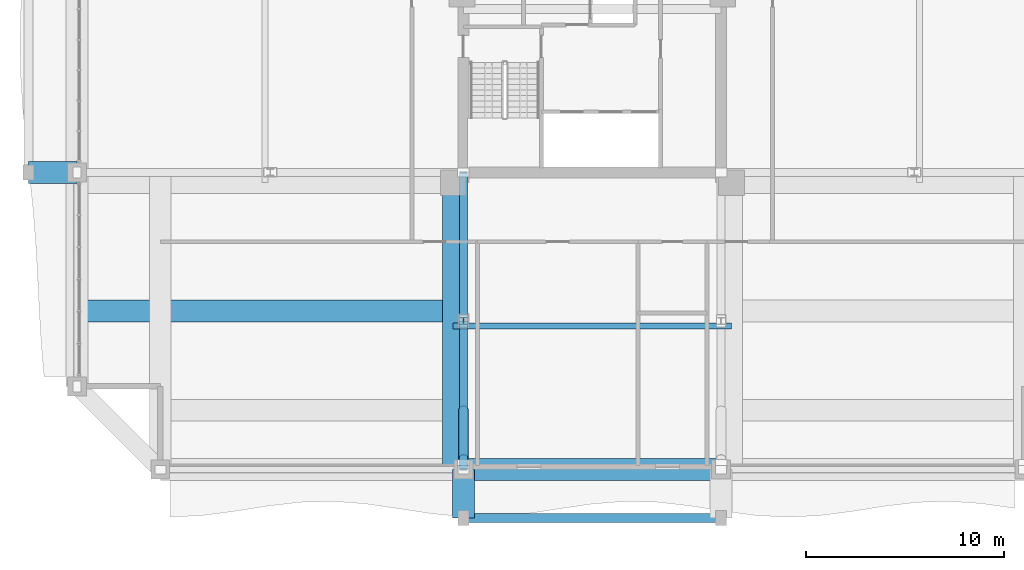
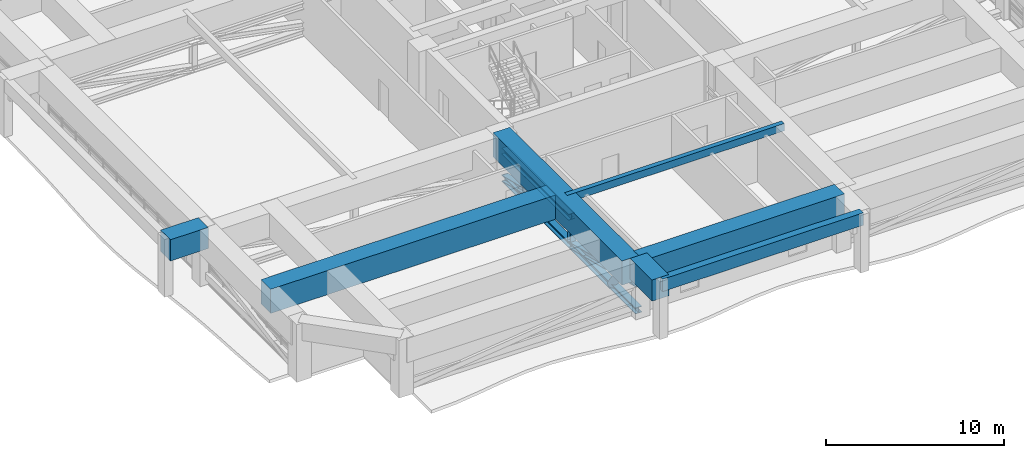
# One storey, part 5 of 35: 8 members, 7 beams.
"""IFC4 building model written with IfcOpenShell, lengths in metres."""

from ifc_helpers import new_model, si_unit, direction, frame, origin, origin_2d, place, context, subcontext, project, spatial, rectangle, hollow_circle, i_section, extrude, source, transform, mapped, material, material_profile, profile_set, type_object, element, save


model = new_model("IFC4")

# Units and contexts
model_context = context("Model", 3, precision=1e-05, world=origin(), true_north=direction((0.0, 1.0)))
body_context = subcontext(model_context, "Body", "Model", "MODEL_VIEW")
ifc_project = project(units=[si_unit("LENGTHUNIT", "METRE"), si_unit("AREAUNIT", "SQUARE_METRE"), si_unit("VOLUMEUNIT", "CUBIC_METRE"), si_unit("PLANEANGLEUNIT", "RADIAN"), si_unit("MASSUNIT", "GRAM", prefix="KILO")], contexts=[model_context])

# Site, building, storey
site_placement = place(None, origin())
site = spatial("IfcSite", under=ifc_project, at=site_placement, CompositionType="ELEMENT")
building_placement = place(site_placement, origin())
building = spatial("IfcBuilding", under=site, at=building_placement, Name="Saelheon Loggia Tower", CompositionType="ELEMENT")
storey_placement = place(building_placement, frame((0.0, 0.0, 144.75)))
storey = spatial("IfcBuildingStorey", under=building, at=storey_placement, Name="L46", CompositionType="ELEMENT", Elevation=144.75)

# Beam
ifc_material_1 = material(Name="Precast Concrete C45/55", Category="concrete")
ifc_material_profile_1 = material_profile(ifc_material_1, rectangle(XDim=0.449951171875, YDim=0.85009765625, at=origin_2d()), Name="RC-450x850")
ifc_profile_set_1 = profile_set([ifc_material_profile_1], Name="Precast Concrete C45/55")
beam_type_1 = type_object("IfcBeamType", Name="Beam_LoggiaSpandrel_RC450x850", PredefinedType="SPANDREL", material=ifc_profile_set_1)
shared_shape_1 = source(origin(), body_context, "Body", "SweptSolid", [
    extrude(rectangle(XDim=0.449951171875, YDim=0.85009765625, at=origin_2d()), origin(), (0.0, 0.0, 1.0), 13.0),
])
beam_1_placement = place(storey_placement, frame((31.5, 0.550048828125, 3.52490234375), z_axis=(1.0, 0.0, 0.0), x_axis=(0.0, 1.0, 0.0)))
element("IfcBeam", 1, at=beam_1_placement, inside=storey, type_object=beam_type_1, Name="L46 Loggia Spandrel Beam S", PredefinedType="SPANDREL", context=body_context, shape_type="MappedRepresentation", body=[
    mapped(shared_shape_1, transform((0.0, 0.0, 0.0), scale=1.0)),
])

# Member
ifc_material_2 = material(Name="Steel SM355", Category="steel")
ifc_material_profile_2 = material_profile(ifc_material_2, hollow_circle(Radius=0.25390625, WallThickness=0.02001953125, at=origin_2d()), Name="CHS-508x20")
ifc_profile_set_2 = profile_set([ifc_material_profile_2], Name="Steel SM355")
member_type_1 = type_object("IfcMemberType", Name="SkyPool_Strut_CHS508", PredefinedType="STRUT", material=ifc_profile_set_2)
shared_shape_2 = source(origin(), body_context, "Body", "SweptSolid", [
    extrude(hollow_circle(Radius=0.25390625, WallThickness=0.02001953125, at=origin_2d()), origin(), (0.0, 0.0, 1.0), 4.198974609375),
])
member_1_placement = place(storey_placement, frame((31.5, 6.0, 0.199951171875), z_axis=(0.0, -0.583463515817, 0.812139351165), x_axis=(1.0, 0.0, 0.0)))
element("IfcMember", 2, at=member_1_placement, inside=storey, type_object=member_type_1, Name="Sky Pool Cantilever Raker Strut 1", PredefinedType="STRUT", context=body_context, shape_type="MappedRepresentation", body=[
    mapped(shared_shape_2, transform((0.0, 0.0, 0.0), scale=1.0)),
])

# Beams
ifc_material_3 = material(Name="Concrete C50/60", Category="concrete")
ifc_material_profile_3 = material_profile(ifc_material_3, rectangle(XDim=1.10009765625, YDim=1.449951171875, at=origin_2d()), Name="RC-1100x1450")
ifc_profile_set_3 = profile_set([ifc_material_profile_3], Name="Concrete C50/60")
beam_type_2 = type_object("IfcBeamType", Name="Beam_PerimTransfer_RC1100x1450", PredefinedType="BEAM", material=ifc_profile_set_3)
shared_shape_3 = source(origin(), body_context, "Body", "SweptSolid", [
    extrude(rectangle(XDim=1.10009765625, YDim=1.449951171875, at=origin_2d()), origin(), (0.0, 0.0, 1.0), 2.449951171875),
])
for number, where, z_axis, x_axis, name in (
    (3, (31.5, 3.0, 3.22509765625), (0.0, -1.0, 0.0), (1.0, 0.0, 0.0), "L46 Loggia Frame Tie Beam LP-S1"),
    (4, (12.0, 18.0, 3.22509765625), (-1.0, 0.0, 0.0), (0.0, -1.0, 0.0), "L46 Loggia Frame Tie Beam LP-W1"),
):
    element("IfcBeam", number, at=place(storey_placement, frame(where, z_axis=z_axis, x_axis=x_axis)), inside=storey, type_object=beam_type_2, Name=name, PredefinedType="BEAM", context=body_context, shape_type="MappedRepresentation", body=[
        mapped(shared_shape_3, transform((0.0, 0.0, 0.0), scale=1.0)),
    ])
ifc_material_profile_4 = material_profile(ifc_material_3, rectangle(XDim=1.10009765625, YDim=1.64990234375, at=origin_2d()), Name="RC-1100x1650")
ifc_profile_set_4 = profile_set([ifc_material_profile_4], Name="Concrete C50/60")
beam_type_3 = type_object("IfcBeamType", Name="Beam_PerimMega_RC1100x1650", PredefinedType="BEAM", material=ifc_profile_set_4)
shared_shape_4 = source(origin(), body_context, "Body", "SweptSolid", [
    extrude(rectangle(XDim=1.10009765625, YDim=1.64990234375, at=origin_2d()), origin(), (0.0, 0.0, 1.0), 13.0),
])
beam_2_placement = place(storey_placement, frame((31.5, 3.0, 3.125), z_axis=(1.0, 0.0, 0.0), x_axis=(0.0, 1.0, 0.0)))
element("IfcBeam", 5, at=beam_2_placement, inside=storey, type_object=beam_type_3, Name="L46 Perimeter Frame Girder 02", PredefinedType="BEAM", context=body_context, shape_type="MappedRepresentation", body=[
    mapped(shared_shape_4, transform((0.0, 0.0, 0.0), scale=1.0)),
])
ifc_material_profile_5 = material_profile(ifc_material_3, rectangle(XDim=1.10009765625, YDim=1.64990234375, at=origin_2d()), Name="RC-1100x1650")
ifc_profile_set_5 = profile_set([ifc_material_profile_5], Name="Concrete C50/60")
beam_type_4 = type_object("IfcBeamType", Name="Beam_MegaTransfer_RC1100x1650", PredefinedType="BEAM", material=ifc_profile_set_5)
shared_shape_5 = source(origin(), body_context, "Body", "SweptSolid", [
    extrude(rectangle(XDim=1.10009765625, YDim=1.64990234375, at=origin_2d()), origin(), (0.0, 0.0, 1.0), 14.47998046875),
])
beam_3_placement = place(storey_placement, frame((30.97998046875, 17.47998046875, 3.125), z_axis=(0.0, -1.0, 0.0), x_axis=(1.0, 0.0, 0.0)))
element("IfcBeam", 6, at=beam_3_placement, inside=storey, type_object=beam_type_4, Name="L46 Radial Floor Girder RAD-SW-S", PredefinedType="BEAM", context=body_context, shape_type="MappedRepresentation", body=[
    mapped(shared_shape_5, transform((0.0, 0.0, 0.0), scale=1.0)),
])
shared_shape_6 = source(origin(), body_context, "Body", "SweptSolid", [
    extrude(rectangle(XDim=1.10009765625, YDim=1.64990234375, at=origin_2d()), origin(), (0.0, 0.0, 1.0), 19.5),
])
beam_4_placement = place(storey_placement, frame((12.0, 11.0, 3.125), z_axis=(1.0, 0.0, 0.0), x_axis=(0.0, 1.0, 0.0)))
element("IfcBeam", 7, at=beam_4_placement, inside=storey, type_object=beam_type_4, Name="TG-L46-SH-SW", PredefinedType="BEAM", context=body_context, shape_type="MappedRepresentation", body=[
    mapped(shared_shape_6, transform((0.0, 0.0, 0.0), scale=1.0)),
])

# Members
ifc_material_profile_6 = material_profile(ifc_material_2, i_section(OverallWidth=0.406982421875, OverallDepth=0.427978515625, WebThickness=0.02001953125, FlangeThickness=0.034912109375, at=origin_2d()), Name="H-428x407x20x35")
ifc_profile_set_6 = profile_set([ifc_material_profile_6], Name="Steel SM355")
member_type_2 = type_object("IfcMemberType", Name="Outrigger_Chord_H428", PredefinedType="CHORD", material=ifc_profile_set_6)
shared_shape_7 = source(origin(), body_context, "Body", "SweptSolid", [
    extrude(i_section(OverallWidth=0.406982421875, OverallDepth=0.427978515625, WebThickness=0.02001953125, FlangeThickness=0.034912109375, at=origin_2d()), origin(), (0.0, 0.0, 1.0), 7.5),
])
for number, where, z_axis, x_axis, name in (
    (8, (31.5, 18.0, 0.219970703125), (0.0, -1.0, 0.0), (1.0, 0.0, 0.0), "L46 Outrigger Bottom Chord SW-S 1"),
    (9, (31.5, 10.5, 0.219970703125), (0.0, -1.0, 0.0), (1.0, 0.0, 0.0), "L46 Outrigger Bottom Chord SW-S 2"),
    (10, (31.5, 18.0, 2.070068359375), (0.0, -1.0, 0.0), (1.0, 0.0, 0.0), "L46 Outrigger Top Chord SW-S 1"),
    (11, (31.5, 10.5, 2.070068359375), (0.0, -1.0, 0.0), (1.0, 0.0, 0.0), "L46 Outrigger Top Chord SW-S 2"),
):
    element("IfcMember", number, at=place(storey_placement, frame(where, z_axis=z_axis, x_axis=x_axis)), inside=storey, type_object=member_type_2, Name=name, PredefinedType="CHORD", context=body_context, shape_type="MappedRepresentation", body=[
        mapped(shared_shape_7, transform((0.0, 0.0, 0.0), scale=1.0)),
    ])
ifc_material_profile_7 = material_profile(ifc_material_2, i_section(OverallWidth=0.39990234375, OverallDepth=0.39990234375, WebThickness=0.012939453125, FlangeThickness=0.02099609375, at=origin_2d()), Name="H-400x400x13x21")
ifc_profile_set_7 = profile_set([ifc_material_profile_7], Name="Steel SM355")
member_type_3 = type_object("IfcMemberType", Name="Outrigger_Brace_H400", PredefinedType="BRACE", material=ifc_profile_set_7)
shared_shape_8 = source(origin(), body_context, "Body", "SweptSolid", [
    extrude(i_section(OverallWidth=0.39990234375, OverallDepth=0.39990234375, WebThickness=0.012939453125, FlangeThickness=0.02099609375, at=origin_2d()), origin(), (0.0, 0.0, 1.0), 7.724853515625),
])
for number, where, z_axis, x_axis, name in (
    (12, (31.5, 18.0, 0.219970703125), (0.0, -0.970896268456, 0.239500388098), (1.0, 0.0, 0.0), "L46 Outrigger Diagonal SW-S 1"),
    (13, (31.5, 10.5, 0.219970703125), (0.0, -0.970896268456, 0.239500388098), (1.0, 0.0, 0.0), "L46 Outrigger Diagonal SW-S 2"),
):
    element("IfcMember", number, at=place(storey_placement, frame(where, z_axis=z_axis, x_axis=x_axis)), inside=storey, type_object=member_type_3, Name=name, PredefinedType="BRACE", context=body_context, shape_type="MappedRepresentation", body=[
        mapped(shared_shape_8, transform((0.0, 0.0, 0.0), scale=1.0)),
    ])

# Beam
ifc_material_4 = material(Name="Concrete C40/50", Category="concrete")
ifc_material_profile_8 = material_profile(ifc_material_4, rectangle(XDim=0.300048828125, YDim=0.5, at=origin_2d()), Name="RC-300x500")
ifc_profile_set_8 = profile_set([ifc_material_profile_8], Name="Concrete C40/50")
beam_type_5 = type_object("IfcBeamType", Name="Beam_Joist_RC300x500", PredefinedType="JOIST", material=ifc_profile_set_8)
shared_shape_9 = source(origin(), body_context, "Body", "SweptSolid", [
    extrude(rectangle(XDim=0.300048828125, YDim=0.5, at=origin_2d()), origin(), (0.0, 0.0, 1.0), 14.0400390625),
])
beam_5_placement = place(storey_placement, frame((30.97998046875, 10.239990234375, 3.699951171875), z_axis=(1.0, 0.0, 0.0), x_axis=(0.0, 1.0, 0.0)))
element("IfcBeam", 14, at=beam_5_placement, inside=storey, type_object=beam_type_5, Name="L46 South Floor Joist", PredefinedType="JOIST", context=body_context, shape_type="MappedRepresentation", body=[
    mapped(shared_shape_9, transform((0.0, 0.0, 0.0), scale=1.0)),
])

# Member
ifc_material_profile_9 = material_profile(ifc_material_2, i_section(OverallWidth=0.35009765625, OverallDepth=0.35009765625, WebThickness=0.011962890625, FlangeThickness=0.01904296875, at=origin_2d()), Name="H-350x350x12x19")
ifc_profile_set_9 = profile_set([ifc_material_profile_9], Name="Steel SM355")
member_type_4 = type_object("IfcMemberType", Name="Outrigger_Post_H350", PredefinedType="POST", material=ifc_profile_set_9)
shared_shape_10 = source(origin(), body_context, "Body", "SweptSolid", [
    extrude(i_section(OverallWidth=0.35009765625, OverallDepth=0.35009765625, WebThickness=0.011962890625, FlangeThickness=0.01904296875, at=origin_2d()), origin(), (0.0, 0.0, 1.0), 1.85009765625),
])
member_2_placement = place(storey_placement, frame((31.5, 10.5, 0.219970703125), z_axis=(0.0, 0.0, 1.0), x_axis=(1.0, 0.0, 0.0)))
element("IfcMember", 15, at=member_2_placement, inside=storey, type_object=member_type_4, Name="L46 Outrigger Web Post SW-S", PredefinedType="POST", context=body_context, shape_type="MappedRepresentation", body=[
    mapped(shared_shape_10, transform((0.0, 0.0, 0.0), scale=1.0)),
])

save(model, "model.ifc")
